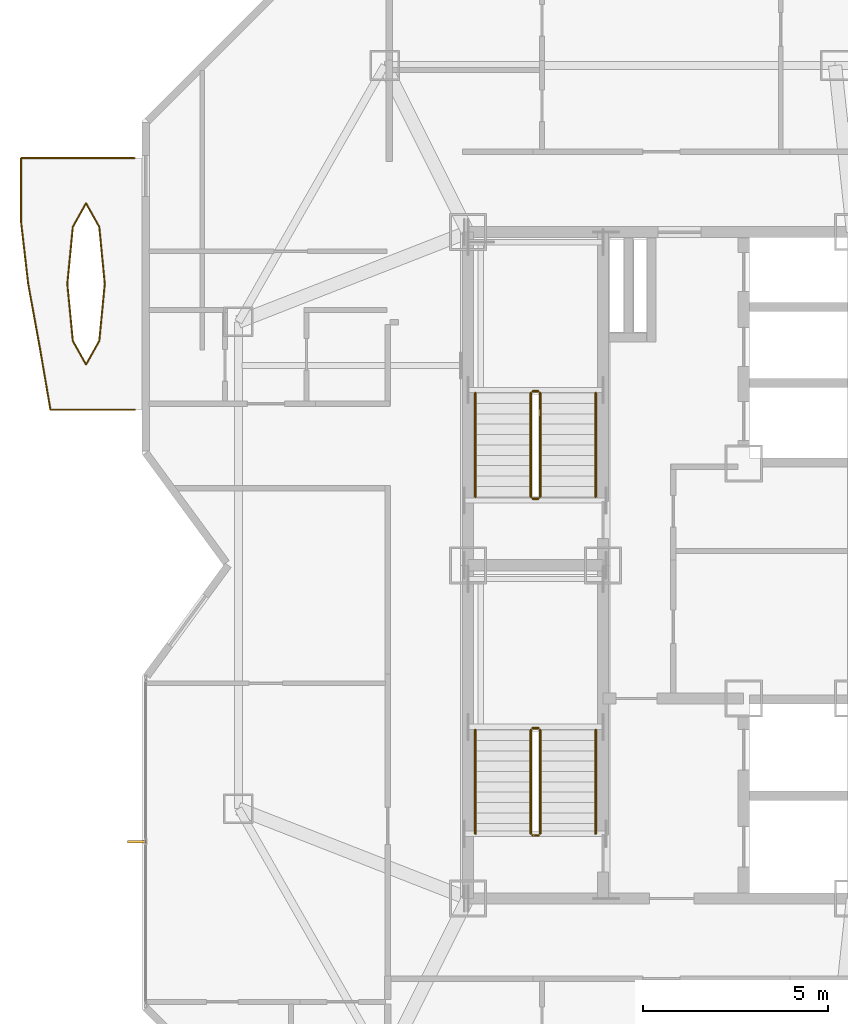
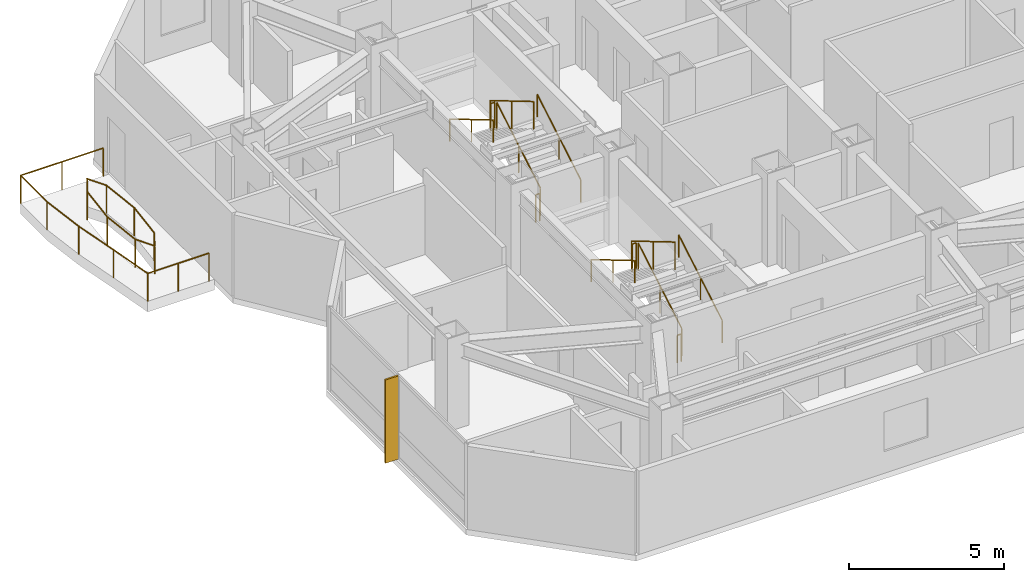
# One storey, part 13 of 14: 16 railings, 1 shading device.
"""IFC4 building model written with IfcOpenShell, lengths in metres."""

import ifcopenshell
import ifcopenshell.guid

model = None  # the IFC model being written
_history = None  # IfcOwnerHistory: only IFC2X3 demands one
_inside = {}  # id of a spatial element -> (the spatial element, [elements in it])
_under = {}  # id of a project, library or spatial element -> (it, [spatial elements below it])
_declared = {}  # id of a project -> (the project, [libraries it declares])
_typed = {}  # id of a type object -> (the type object, [elements of that type])
_made_of = {}  # id of a material, layer set ... -> (it, [elements and type objects made of it])


def new_model(schema):
    """Start an empty IFC model of exactly this schema.

    Asked for "IFC4X3", IfcOpenShell would pick the latest addendum, in which some entities
    have other attributes; the version numbers below select the first issue.
    IFC2X3 requires an IfcOwnerHistory on every rooted entity: one is made here for all.
    """
    global model, _history
    if schema == "IFC4X3":
        model = ifcopenshell.file(schema_version=(4, 3, 0, 0))
    else:
        model = ifcopenshell.file(schema=schema)
    _inside.clear()
    _under.clear()
    _declared.clear()
    _typed.clear()
    _made_of.clear()
    _history = None
    if model.schema == "IFC2X3":
        org = make("IfcOrganization", Name="unknown")
        user = make(
            "IfcPersonAndOrganization",
            ThePerson=make("IfcPerson", FamilyName="unknown"),
            TheOrganization=org,
        )
        app = make(
            "IfcApplication",
            ApplicationDeveloper=org,
            Version="unknown",
            ApplicationFullName="unknown",
            ApplicationIdentifier="unknown",
        )
        _history = make(
            "IfcOwnerHistory",
            OwningUser=user,
            OwningApplication=app,
            ChangeAction="ADDED",
            CreationDate=0,
        )
    return model


def make(cls, **values):
    """One entity of the class cls with the attributes given. An attribute that is None is left unset."""
    return model.create_entity(
        cls, **{name: value for name, value in values.items() if value is not None}
    )


def rooted(cls, **values):
    """An entity with a GlobalId (a new one), such as an element, a storey or a relation."""
    return make(cls, GlobalId=ifcopenshell.guid.new(), OwnerHistory=_history, **values)


def si_unit(unit_type, name, prefix=None):
    """IfcSIUnit, for example si_unit("LENGTHUNIT", "METRE", prefix="MILLI")."""
    return make("IfcSIUnit", UnitType=unit_type, Prefix=prefix, Name=name)


def assignment(units):
    """IfcUnitAssignment: the units of a project."""
    return None if units is None else make("IfcUnitAssignment", Units=units)


def point(xyz):
    """IfcCartesianPoint."""
    return None if xyz is None else make("IfcCartesianPoint", Coordinates=xyz)


def direction(xyz):
    """IfcDirection."""
    return None if xyz is None else make("IfcDirection", DirectionRatios=xyz)


def frame(location, z_axis=None, x_axis=None):
    """IfcAxis2Placement3D, a coordinate frame: its origin and axes. An axis left out is left unset."""
    return make(
        "IfcAxis2Placement3D",
        Location=point(location),
        Axis=direction(z_axis),
        RefDirection=direction(x_axis),
    )


def frame_2d(location, x_axis=None):
    """IfcAxis2Placement2D, a coordinate frame in the plane: its origin and x axis."""
    return make(
        "IfcAxis2Placement2D", Location=point(location), RefDirection=direction(x_axis)
    )


def origin():
    """The frame at (0, 0, 0) with its axes left unset."""
    return frame((0.0, 0.0, 0.0))


def origin_2d():
    """The frame at (0, 0) in the plane with its x axis left unset."""
    return frame_2d((0.0, 0.0))


def place(relative_to, where):
    """IfcLocalPlacement: puts the frame where relative to a parent placement (None: the world)."""
    return make(
        "IfcLocalPlacement", PlacementRelTo=relative_to, RelativePlacement=where
    )


def context(
    kind, dimensions, precision=None, world=None, true_north=None, identifier=None
):
    """IfcGeometricRepresentationContext, for example the 3D "Model" context."""
    return make(
        "IfcGeometricRepresentationContext",
        ContextIdentifier=identifier,
        ContextType=kind,
        CoordinateSpaceDimension=dimensions,
        Precision=precision,
        WorldCoordinateSystem=world,
        TrueNorth=true_north,
    )


def subcontext(parent, identifier, kind, view, scale=None):
    """IfcGeometricRepresentationSubContext, for example "Body" below "Model"."""
    return make(
        "IfcGeometricRepresentationSubContext",
        ContextIdentifier=identifier,
        ContextType=kind,
        ParentContext=parent,
        TargetScale=scale,
        TargetView=view,
    )


def project(units=None, contexts=None):
    """IfcProject with its units and contexts."""
    return rooted(
        "IfcProject",
        Name="project",
        RepresentationContexts=contexts,
        UnitsInContext=assignment(units),
    )


def spatial(cls, under=None, at=None, **own):
    """A site, building, storey or space (cls), placed at a placement, below another one or the project."""
    s = rooted(cls, ObjectPlacement=at, **own)
    if under is not None:
        _under.setdefault(under.id(), (under, []))[1].append(s)
    return s


def profile(cls, at=None, kind="AREA", **sizes):
    """A parametric profile (cls). Its sizes go by their IFC names, for example OverallWidth=200.0."""
    return make(cls, ProfileType=kind, Position=at, **sizes)


def rectangle(**sizes):
    """IfcRectangleProfileDef."""
    return profile("IfcRectangleProfileDef", **sizes)


def circle(**sizes):
    """IfcCircleProfileDef."""
    return profile("IfcCircleProfileDef", **sizes)


def extrude(swept, where, along, depth):
    """IfcExtrudedAreaSolid: the profile swept, set in the frame where, extruded along a direction by depth."""
    return make(
        "IfcExtrudedAreaSolid",
        SweptArea=swept,
        Position=where,
        ExtrudedDirection=direction(along),
        Depth=depth,
    )


def shape(context_of_items, identifier, shape_type, items):
    """IfcShapeRepresentation: the items that make up one representation, for example the "Body"."""
    return make(
        "IfcShapeRepresentation",
        ContextOfItems=context_of_items,
        RepresentationIdentifier=identifier,
        RepresentationType=shape_type,
        Items=items,
    )


def material(Name=None, Category=None):
    """IfcMaterial."""
    return make("IfcMaterial", Name=Name, Category=Category)


def made_of(thing, what):
    """Note that an element or type object is made of a material, layer set ...; save() writes the relation."""
    if what is not None:
        _made_of.setdefault(what.id(), (what, []))[1].append(thing)
    return thing


def type_object(cls, material=None, **own):
    """A type object (cls), such as IfcWallType, which elements share."""
    return made_of(rooted(cls, **own), material)


def element(
    cls,
    number,
    at=None,
    inside=None,
    cuts=None,
    type_object=None,
    material=None,
    context=None,
    identifier="Body",
    shape_type=None,
    held_by="IfcProductDefinitionShape",
    body=None,
    shapes=None,
    **own,
):
    """One element of the class cls, such as IfcWall. Its Tag is "e" and its number.

    at: its placement. inside: the storey or other place that contains it. cuts: it is an
    opening in that element (IfcRelVoidsElement). A single representation is given by context,
    identifier, shape_type and body (its items); several are given by shapes. held_by: the class
    of the entity that holds the representations. save() writes the other relations.
    """
    e = rooted(cls, Tag="e%d" % number, ObjectPlacement=at, **own)
    if body is not None:
        shapes = [shape(context, identifier, shape_type, body)]
    if shapes is not None:
        e.Representation = make(held_by, Representations=shapes)
    if inside is not None:
        _inside.setdefault(inside.id(), (inside, []))[1].append(e)
    if cuts is not None:
        rooted(
            "IfcRelVoidsElement", RelatingBuildingElement=cuts, RelatedOpeningElement=e
        )
    if type_object is not None:
        _typed.setdefault(type_object.id(), (type_object, []))[1].append(e)
    return made_of(e, material)


def aggregate(whole, parts):
    """IfcRelAggregates: a whole, such as a stair, and the parts it consists of."""
    return rooted("IfcRelAggregates", RelatingObject=whole, RelatedObjects=parts)


def save(model, path):
    """Write the relations noted so far, then the file.

    IfcRelAggregates (storeys below a building ...), IfcRelContainedInSpatialStructure (elements
    in a storey), IfcRelDefinesByType, IfcRelAssociatesMaterial and IfcRelDeclares: one each for
    every whole, place, type object, material and project.
    """
    for whole, parts in _under.values():
        aggregate(whole, parts)
    for where, things in _inside.values():
        rooted(
            "IfcRelContainedInSpatialStructure",
            RelatedElements=things,
            RelatingStructure=where,
        )
    for kind, things in _typed.values():
        rooted("IfcRelDefinesByType", RelatedObjects=things, RelatingType=kind)
    for what, things in _made_of.values():
        rooted("IfcRelAssociatesMaterial", RelatedObjects=things, RelatingMaterial=what)
    for by, libraries in _declared.values():
        rooted("IfcRelDeclares", RelatingContext=by, RelatedDefinitions=libraries)
    model.write(path)


model = new_model("IFC4")

# Units and contexts
model_context = context("Model", 3, precision=1e-05, world=origin(), true_north=direction((0.0, 1.0)))
body_context = subcontext(model_context, "Body", "Model", "MODEL_VIEW")
ifc_project = project(units=[si_unit("LENGTHUNIT", "METRE"), si_unit("AREAUNIT", "SQUARE_METRE"), si_unit("VOLUMEUNIT", "CUBIC_METRE"), si_unit("PLANEANGLEUNIT", "RADIAN"), si_unit("MASSUNIT", "GRAM", prefix="KILO")], contexts=[model_context])

# Site, building, storey
site_placement = place(None, origin())
site = spatial("IfcSite", under=ifc_project, at=site_placement, CompositionType="ELEMENT")
building_placement = place(site_placement, origin())
building = spatial("IfcBuilding", under=site, at=building_placement, Name="Khamvora Tower", CompositionType="ELEMENT")
storey_placement = place(building_placement, frame((0.0, 0.0, 261.0)))
storey = spatial("IfcBuildingStorey", under=building, at=storey_placement, Name="L67", CompositionType="ELEMENT", Elevation=261.0)

# Railings
ifc_material_1 = material(Name="Stainless Steel 316 and Laminated Glass", Category="steel")
railing_type_1 = type_object("IfcRailingType", Name="RAL-GAL-1120", PredefinedType="GUARDRAIL", material=ifc_material_1)
railing_1_placement = place(storey_placement, frame((20.0, 32.199951171875, 0.0)))
element("IfcRailing", 1, at=railing_1_placement, inside=storey, type_object=railing_type_1, Name="L67 lens gallery south perimeter guardrail WL2", PredefinedType="GUARDRAIL", context=body_context, shape_type="SweptSolid", body=[
    extrude(circle(Radius=0.02392578125, at=origin_2d()), frame((0.0, 0.0, 1.09619140625), z_axis=(-1.0, 0.0, 0.0), x_axis=(0.0, -1.0, 0.0)), (0.0, 0.0, 1.0), 2.278076171875),
    extrude(circle(Radius=0.02392578125, at=origin_2d()), frame((-2.278076171875, 0.0, 1.09619140625), z_axis=(-0.168735927421, 0.985661294156, 0.0), x_axis=(-0.985661294156, -0.168735927421, 0.0)), (0.0, 0.0, 1.0), 1.724609375),
    extrude(circle(Radius=0.02392578125, at=origin_2d()), frame((-2.569091796875, 1.699951171875, 1.09619140625), z_axis=(-0.179270807268, 0.983799765024, 0.0), x_axis=(-0.983799765024, -0.179270807268, 0.0)), (0.0, 0.0, 1.0), 1.728271484375),
    extrude(circle(Radius=0.02099609375, at=origin_2d()), origin(), (0.0, 0.0, 1.0), 1.072021484375),
    extrude(circle(Radius=0.02099609375, at=origin_2d()), frame((-1.13916015625, 0.0, 0.0)), (0.0, 0.0, 1.0), 1.072021484375),
    extrude(circle(Radius=0.02099609375, at=origin_2d()), frame((-2.278076171875, 0.0, 0.0)), (0.0, 0.0, 1.0), 1.072021484375),
    extrude(circle(Radius=0.02099609375, at=origin_2d()), frame((-2.569091796875, 1.699951171875, 0.0)), (0.0, 0.0, 1.0), 1.072021484375),
    extrude(circle(Radius=0.02099609375, at=origin_2d()), frame((-2.87890625, 3.400146484375, 0.0)), (0.0, 0.0, 1.0), 1.072021484375),
])
railing_2_placement = place(storey_placement, frame((17.12109375, 35.60009765625, 0.0)))
element("IfcRailing", 2, at=railing_2_placement, inside=storey, type_object=railing_type_1, Name="L67 lens gallery north perimeter guardrail WL2", PredefinedType="GUARDRAIL", context=body_context, shape_type="SweptSolid", body=[
    extrude(circle(Radius=0.02392578125, at=origin_2d()), frame((0.0, 0.0, 1.09619140625), z_axis=(-0.114564540175, 0.99341580727, 0.0), x_axis=(-0.99341580727, -0.114564540175, 0.0)), (0.0, 0.0, 1.0), 1.711181640625),
    extrude(circle(Radius=0.02392578125, at=origin_2d()), frame((-0.196044921875, 1.699951171875, 1.09619140625), z_axis=(0.001723392529, 0.999998514958, 0.0), x_axis=(-0.999998514958, 0.001723392529, 0.0)), (0.0, 0.0, 1.0), 1.699951171875),
    extrude(circle(Radius=0.02392578125, at=origin_2d()), frame((-0.193115234375, 3.39990234375, 1.09619140625), z_axis=(1.0, 0.0, 0.0), x_axis=(0.0, 1.0, 0.0)), (0.0, 0.0, 1.0), 3.072021484375),
    extrude(circle(Radius=0.02099609375, at=origin_2d()), origin(), (0.0, 0.0, 1.0), 1.072021484375),
    extrude(circle(Radius=0.02099609375, at=origin_2d()), frame((-0.196044921875, 1.699951171875, 0.0)), (0.0, 0.0, 1.0), 1.072021484375),
    extrude(circle(Radius=0.02099609375, at=origin_2d()), frame((-0.193115234375, 3.39990234375, 0.0)), (0.0, 0.0, 1.0), 1.072021484375),
    extrude(circle(Radius=0.02099609375, at=origin_2d()), frame((1.3427734375, 3.39990234375, 0.0)), (0.0, 0.0, 1.0), 1.072021484375),
    extrude(circle(Radius=0.02099609375, at=origin_2d()), frame((2.87890625, 3.39990234375, 0.0)), (0.0, 0.0, 1.0), 1.072021484375),
])
railing_3_placement = place(storey_placement, frame((19.18896484375, 35.60009765625, 0.0)))
element("IfcRailing", 3, at=railing_3_placement, inside=storey, type_object=railing_type_1, Name="L67 lens gallery void guardrail WL2A", PredefinedType="GUARDRAIL", context=body_context, shape_type="SweptSolid", body=[
    extrude(circle(Radius=0.02392578125, at=origin_2d()), frame((0.0, 0.0, 1.09619140625), z_axis=(-0.09570337897, 0.995409897105, 0.0), x_axis=(-0.995409897105, -0.09570337897, 0.0)), (0.0, 0.0, 1.0), 1.5458984375),
    extrude(circle(Radius=0.02392578125, at=origin_2d()), frame((-0.14794921875, 1.538818359375, 1.09619140625), z_axis=(-0.487828856646, 0.872939291488, 0.0), x_axis=(-0.872939291488, -0.487828856646, 0.0)), (0.0, 0.0, 1.0), 0.729736328125),
    extrude(circle(Radius=0.02392578125, at=origin_2d()), frame((-0.50390625, 2.17578125, 1.09619140625), z_axis=(-0.487828856646, -0.872939291488, 0.0), x_axis=(0.872939291488, -0.487828856646, 0.0)), (0.0, 0.0, 1.0), 0.729736328125),
    extrude(circle(Radius=0.02392578125, at=origin_2d()), frame((-0.85986328125, 1.538818359375, 1.09619140625), z_axis=(-0.095859855319, -0.995394840321, 0.0), x_axis=(0.995394840321, -0.095859855319, 0.0)), (0.0, 0.0, 1.0), 1.5458984375),
    extrude(circle(Radius=0.02099609375, at=origin_2d()), origin(), (0.0, 0.0, 1.0), 1.072021484375),
    extrude(circle(Radius=0.02099609375, at=origin_2d()), frame((-0.14794921875, 1.538818359375, 0.0)), (0.0, 0.0, 1.0), 1.072021484375),
    extrude(circle(Radius=0.02099609375, at=origin_2d()), frame((-0.50390625, 2.17578125, 0.0)), (0.0, 0.0, 1.0), 1.072021484375),
    extrude(circle(Radius=0.02099609375, at=origin_2d()), frame((-0.85986328125, 1.538818359375, 0.0)), (0.0, 0.0, 1.0), 1.072021484375),
    extrude(circle(Radius=0.02099609375, at=origin_2d()), frame((-1.008056640625, 0.0, 0.0)), (0.0, 0.0, 1.0), 1.072021484375),
])
railing_4_placement = place(storey_placement, frame((18.180908203125, 35.60009765625, 0.0)))
element("IfcRailing", 4, at=railing_4_placement, inside=storey, type_object=railing_type_1, Name="L67 lens gallery void guardrail WL2B", PredefinedType="GUARDRAIL", context=body_context, shape_type="SweptSolid", body=[
    extrude(circle(Radius=0.02392578125, at=origin_2d()), frame((0.0, 0.0, 1.09619140625), z_axis=(0.095844788822, -0.99539629116, 0.0), x_axis=(0.99539629116, 0.095844788822, 0.0)), (0.0, 0.0, 1.0), 1.546142578125),
    extrude(circle(Radius=0.02392578125, at=origin_2d()), frame((0.148193359375, -1.5390625, 1.09619140625), z_axis=(0.487828856646, -0.872939291488, 0.0), x_axis=(0.872939291488, 0.487828856646, 0.0)), (0.0, 0.0, 1.0), 0.729736328125),
    extrude(circle(Radius=0.02392578125, at=origin_2d()), frame((0.504150390625, -2.176025390625, 1.09619140625), z_axis=(0.487828856646, 0.872939291488, 0.0), x_axis=(-0.872939291488, 0.487828856646, 0.0)), (0.0, 0.0, 1.0), 0.729736328125),
    extrude(circle(Radius=0.02392578125, at=origin_2d()), frame((0.860107421875, -1.5390625, 1.09619140625), z_axis=(0.095688336612, 0.995411343233, 0.0), x_axis=(-0.995411343233, 0.095688336612, 0.0)), (0.0, 0.0, 1.0), 1.546142578125),
    extrude(circle(Radius=0.02099609375, at=origin_2d()), origin(), (0.0, 0.0, 1.0), 1.072021484375),
    extrude(circle(Radius=0.02099609375, at=origin_2d()), frame((0.148193359375, -1.5390625, 0.0)), (0.0, 0.0, 1.0), 1.072021484375),
    extrude(circle(Radius=0.02099609375, at=origin_2d()), frame((0.504150390625, -2.176025390625, 0.0)), (0.0, 0.0, 1.0), 1.072021484375),
    extrude(circle(Radius=0.02099609375, at=origin_2d()), frame((0.860107421875, -1.5390625, 0.0)), (0.0, 0.0, 1.0), 1.072021484375),
    extrude(circle(Radius=0.02099609375, at=origin_2d()), frame((1.008056640625, 0.0, 0.0)), (0.0, 0.0, 1.0), 1.072021484375),
])
ifc_material_2 = material(Name="Brushed Stainless Steel 316", Category="steel")
railing_type_2 = type_object("IfcRailingType", Name="RAL-HDR-920", PredefinedType="HANDRAIL", material=ifc_material_2)
railing_5_placement = place(storey_placement, frame((32.449951171875, 20.75, 0.166015625)))
element("IfcRailing", 5, at=railing_5_placement, inside=storey, type_object=railing_type_2, Name="L67 ST-01 stair handrail 1", PredefinedType="HANDRAIL", context=body_context, shape_type="SweptSolid", body=[
    extrude(circle(Radius=0.02392578125, at=origin_2d()), frame((0.0, 0.0, 0.8759765625), z_axis=(0.0, 0.860339051648, 0.50972219513), x_axis=(-1.0, 0.0, 0.0)), (0.0, 0.0, 1.0), 3.254638671875),
    extrude(circle(Radius=0.02099609375, at=origin_2d()), origin(), (0.0, 0.0, 1.0), 0.851806640625),
    extrude(circle(Radius=0.02099609375, at=origin_2d()), frame((0.0, 1.39990234375, 0.82958984375)), (0.0, 0.0, 1.0), 0.851806640625),
    extrude(circle(Radius=0.02099609375, at=origin_2d()), frame((0.0, 2.800048828125, 1.658935546875)), (0.0, 0.0, 1.0), 0.851806640625),
])
railing_6_placement = place(storey_placement, frame((29.199951171875, 23.550048828125, 1.990966796875)))
element("IfcRailing", 6, at=railing_6_placement, inside=storey, type_object=railing_type_2, Name="L67 ST-01 stair handrail 2", PredefinedType="HANDRAIL", context=body_context, shape_type="SweptSolid", body=[
    extrude(circle(Radius=0.02392578125, at=origin_2d()), frame((0.0, 0.0, 0.8759765625), z_axis=(0.0, -0.860339051648, 0.50972219513), x_axis=(1.0, 0.0, 0.0)), (0.0, 0.0, 1.0), 3.254638671875),
    extrude(circle(Radius=0.02099609375, at=origin_2d()), origin(), (0.0, 0.0, 1.0), 0.851806640625),
    extrude(circle(Radius=0.02099609375, at=origin_2d()), frame((0.0, -1.39990234375, 0.82958984375)), (0.0, 0.0, 1.0), 0.851806640625),
    extrude(circle(Radius=0.02099609375, at=origin_2d()), frame((0.0, -2.800048828125, 1.658935546875)), (0.0, 0.0, 1.0), 0.851806640625),
])
railing_7_placement = place(storey_placement, frame((32.449951171875, 29.85009765625, 0.166015625)))
element("IfcRailing", 7, at=railing_7_placement, inside=storey, type_object=railing_type_2, Name="L67 ST-02 stair handrail 1", PredefinedType="HANDRAIL", context=body_context, shape_type="SweptSolid", body=[
    extrude(circle(Radius=0.02392578125, at=origin_2d()), frame((0.0, 0.0, 0.8759765625), z_axis=(0.0, 0.860319559791, 0.509755093197), x_axis=(-1.0, 0.0, 0.0)), (0.0, 0.0, 1.0), 3.25439453125),
    extrude(circle(Radius=0.02099609375, at=origin_2d()), origin(), (0.0, 0.0, 1.0), 0.851806640625),
    extrude(circle(Radius=0.02099609375, at=origin_2d()), frame((0.0, 1.39990234375, 0.82958984375)), (0.0, 0.0, 1.0), 0.851806640625),
    extrude(circle(Radius=0.02099609375, at=origin_2d()), frame((0.0, 2.7998046875, 1.658935546875)), (0.0, 0.0, 1.0), 0.851806640625),
])
railing_8_placement = place(storey_placement, frame((29.199951171875, 32.64990234375, 1.990966796875)))
element("IfcRailing", 8, at=railing_8_placement, inside=storey, type_object=railing_type_2, Name="L67 ST-02 stair handrail 2", PredefinedType="HANDRAIL", context=body_context, shape_type="SweptSolid", body=[
    extrude(circle(Radius=0.02392578125, at=origin_2d()), frame((0.0, 0.0, 0.8759765625), z_axis=(0.0, -0.860319559791, 0.509755093197), x_axis=(1.0, 0.0, 0.0)), (0.0, 0.0, 1.0), 3.25439453125),
    extrude(circle(Radius=0.02099609375, at=origin_2d()), origin(), (0.0, 0.0, 1.0), 0.851806640625),
    extrude(circle(Radius=0.02099609375, at=origin_2d()), frame((0.0, -1.39990234375, 0.82958984375)), (0.0, 0.0, 1.0), 0.851806640625),
    extrude(circle(Radius=0.02099609375, at=origin_2d()), frame((0.0, -2.7998046875, 1.658935546875)), (0.0, 0.0, 1.0), 0.851806640625),
])
ifc_material_3 = material(Name="Stainless Steel 316", Category="steel")
railing_type_3 = type_object("IfcRailingType", Name="RAL-STG-1100", PredefinedType="GUARDRAIL", material=ifc_material_3)
railing_9_placement = place(storey_placement, frame((30.949951171875, 20.75, 0.166015625)))
element("IfcRailing", 9, at=railing_9_placement, inside=storey, type_object=railing_type_3, Name="L67 ST-01 stair guard 1", PredefinedType="GUARDRAIL", context=body_context, shape_type="SweptSolid", body=[
    extrude(circle(Radius=0.02392578125, at=origin_2d()), frame((0.0, 0.0, 1.076171875), z_axis=(0.0, 0.860339051648, 0.50972219513), x_axis=(-1.0, 0.0, 0.0)), (0.0, 0.0, 1.0), 3.254638671875),
    extrude(circle(Radius=0.02099609375, at=origin_2d()), origin(), (0.0, 0.0, 1.0), 1.052001953125),
    extrude(circle(Radius=0.02099609375, at=origin_2d()), frame((0.0, 1.39990234375, 0.82958984375)), (0.0, 0.0, 1.0), 1.052001953125),
    extrude(circle(Radius=0.02099609375, at=origin_2d()), frame((0.0, 2.800048828125, 1.658935546875)), (0.0, 0.0, 1.0), 1.052001953125),
])
railing_10_placement = place(storey_placement, frame((30.89990234375, 23.60009765625, 1.824951171875)))
element("IfcRailing", 10, at=railing_10_placement, inside=storey, type_object=railing_type_3, Name="L67 ST-01 stair guard 2", PredefinedType="GUARDRAIL", context=body_context, shape_type="SweptSolid", body=[
    extrude(circle(Radius=0.02392578125, at=origin_2d()), frame((0.0, 0.0, 1.076171875), z_axis=(-1.0, 0.0, 0.0), x_axis=(0.0, -1.0, 0.0)), (0.0, 0.0, 1.0), 0.14990234375),
    extrude(circle(Radius=0.02099609375, at=origin_2d()), origin(), (0.0, 0.0, 1.0), 1.052001953125),
    extrude(circle(Radius=0.02099609375, at=origin_2d()), frame((-0.14990234375, 0.0, 0.0)), (0.0, 0.0, 1.0), 1.052001953125),
])
railing_11_placement = place(storey_placement, frame((30.699951171875, 23.550048828125, 1.990966796875)))
element("IfcRailing", 11, at=railing_11_placement, inside=storey, type_object=railing_type_3, Name="L67 ST-01 stair guard 3", PredefinedType="GUARDRAIL", context=body_context, shape_type="SweptSolid", body=[
    extrude(circle(Radius=0.02392578125, at=origin_2d()), frame((0.0, 0.0, 1.076171875), z_axis=(0.0, -0.860339051648, 0.50972219513), x_axis=(1.0, 0.0, 0.0)), (0.0, 0.0, 1.0), 3.254638671875),
    extrude(circle(Radius=0.02099609375, at=origin_2d()), origin(), (0.0, 0.0, 1.0), 1.052001953125),
    extrude(circle(Radius=0.02099609375, at=origin_2d()), frame((0.0, -1.39990234375, 0.82958984375)), (0.0, 0.0, 1.0), 1.052001953125),
    extrude(circle(Radius=0.02099609375, at=origin_2d()), frame((0.0, -2.800048828125, 1.658935546875)), (0.0, 0.0, 1.0), 1.052001953125),
])
railing_12_placement = place(storey_placement, frame((30.89990234375, 20.699951171875, 0.0)))
element("IfcRailing", 12, at=railing_12_placement, inside=storey, type_object=railing_type_3, Name="L67 ST-01 stair guard 4", PredefinedType="GUARDRAIL", context=body_context, shape_type="SweptSolid", body=[
    extrude(circle(Radius=0.02392578125, at=origin_2d()), frame((0.0, 0.0, 1.076171875), z_axis=(-1.0, 0.0, 0.0), x_axis=(0.0, -1.0, 0.0)), (0.0, 0.0, 1.0), 0.14990234375),
    extrude(circle(Radius=0.02099609375, at=origin_2d()), origin(), (0.0, 0.0, 1.0), 1.052001953125),
    extrude(circle(Radius=0.02099609375, at=origin_2d()), frame((-0.14990234375, 0.0, 0.0)), (0.0, 0.0, 1.0), 1.052001953125),
])
railing_13_placement = place(storey_placement, frame((30.949951171875, 29.85009765625, 0.166015625)))
element("IfcRailing", 13, at=railing_13_placement, inside=storey, type_object=railing_type_3, Name="L67 ST-02 stair guard 1", PredefinedType="GUARDRAIL", context=body_context, shape_type="SweptSolid", body=[
    extrude(circle(Radius=0.02392578125, at=origin_2d()), frame((0.0, 0.0, 1.076171875), z_axis=(0.0, 0.860319559791, 0.509755093197), x_axis=(-1.0, 0.0, 0.0)), (0.0, 0.0, 1.0), 3.25439453125),
    extrude(circle(Radius=0.02099609375, at=origin_2d()), origin(), (0.0, 0.0, 1.0), 1.052001953125),
    extrude(circle(Radius=0.02099609375, at=origin_2d()), frame((0.0, 1.39990234375, 0.82958984375)), (0.0, 0.0, 1.0), 1.052001953125),
    extrude(circle(Radius=0.02099609375, at=origin_2d()), frame((0.0, 2.7998046875, 1.658935546875)), (0.0, 0.0, 1.0), 1.052001953125),
])
railing_14_placement = place(storey_placement, frame((30.89990234375, 32.699951171875, 1.824951171875)))
element("IfcRailing", 14, at=railing_14_placement, inside=storey, type_object=railing_type_3, Name="L67 ST-02 stair guard 2", PredefinedType="GUARDRAIL", context=body_context, shape_type="SweptSolid", body=[
    extrude(circle(Radius=0.02392578125, at=origin_2d()), frame((0.0, 0.0, 1.076171875), z_axis=(-1.0, 0.0, 0.0), x_axis=(0.0, -1.0, 0.0)), (0.0, 0.0, 1.0), 0.14990234375),
    extrude(circle(Radius=0.02099609375, at=origin_2d()), origin(), (0.0, 0.0, 1.0), 1.052001953125),
    extrude(circle(Radius=0.02099609375, at=origin_2d()), frame((-0.14990234375, 0.0, 0.0)), (0.0, 0.0, 1.0), 1.052001953125),
])
railing_15_placement = place(storey_placement, frame((30.699951171875, 32.64990234375, 1.990966796875)))
element("IfcRailing", 15, at=railing_15_placement, inside=storey, type_object=railing_type_3, Name="L67 ST-02 stair guard 3", PredefinedType="GUARDRAIL", context=body_context, shape_type="SweptSolid", body=[
    extrude(circle(Radius=0.02392578125, at=origin_2d()), frame((0.0, 0.0, 1.076171875), z_axis=(0.0, -0.860319559791, 0.509755093197), x_axis=(1.0, 0.0, 0.0)), (0.0, 0.0, 1.0), 3.25439453125),
    extrude(circle(Radius=0.02099609375, at=origin_2d()), origin(), (0.0, 0.0, 1.0), 1.052001953125),
    extrude(circle(Radius=0.02099609375, at=origin_2d()), frame((0.0, -1.39990234375, 0.82958984375)), (0.0, 0.0, 1.0), 1.052001953125),
    extrude(circle(Radius=0.02099609375, at=origin_2d()), frame((0.0, -2.7998046875, 1.658935546875)), (0.0, 0.0, 1.0), 1.052001953125),
])
railing_16_placement = place(storey_placement, frame((30.89990234375, 29.800048828125, 0.0)))
element("IfcRailing", 16, at=railing_16_placement, inside=storey, type_object=railing_type_3, Name="L67 ST-02 stair guard 4", PredefinedType="GUARDRAIL", context=body_context, shape_type="SweptSolid", body=[
    extrude(circle(Radius=0.02392578125, at=origin_2d()), frame((0.0, 0.0, 1.076171875), z_axis=(-1.0, 0.0, 0.0), x_axis=(0.0, -1.0, 0.0)), (0.0, 0.0, 1.0), 0.14990234375),
    extrude(circle(Radius=0.02099609375, at=origin_2d()), origin(), (0.0, 0.0, 1.0), 1.052001953125),
    extrude(circle(Radius=0.02099609375, at=origin_2d()), frame((-0.14990234375, 0.0, 0.0)), (0.0, 0.0, 1.0), 1.052001953125),
])

# Shading device
ifc_material_4 = material(Name="Anodised Bronze Aluminium 6063-T6", Category="aluminium")
shading_device_type = type_object("IfcShadingDeviceType", Name="SHD-FIN-480", PredefinedType="USERDEFINED", material=ifc_material_4)
shading_device_placement = place(storey_placement, frame((20.044921875, 20.534912109375, 0.0), z_axis=(0.0, 0.0, 1.0), x_axis=(0.0, 1.0, 0.0)))
element("IfcShadingDevice", 17, at=shading_device_placement, inside=storey, type_object=shading_device_type, Name="L67 anodised bronze solar fin 02.01", ObjectType="FIN", PredefinedType="USERDEFINED", context=body_context, shape_type="SweptSolid", body=[
    extrude(rectangle(XDim=0.06494140625, YDim=0.47998046875, at=origin_2d()), origin(), (0.0, 0.0, 1.0), 3.27001953125),
])

save(model, "model.ifc")
